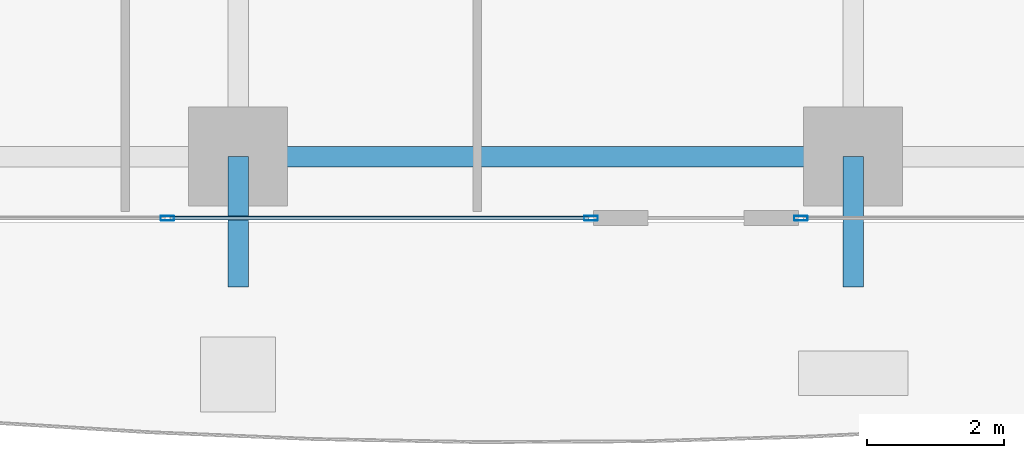
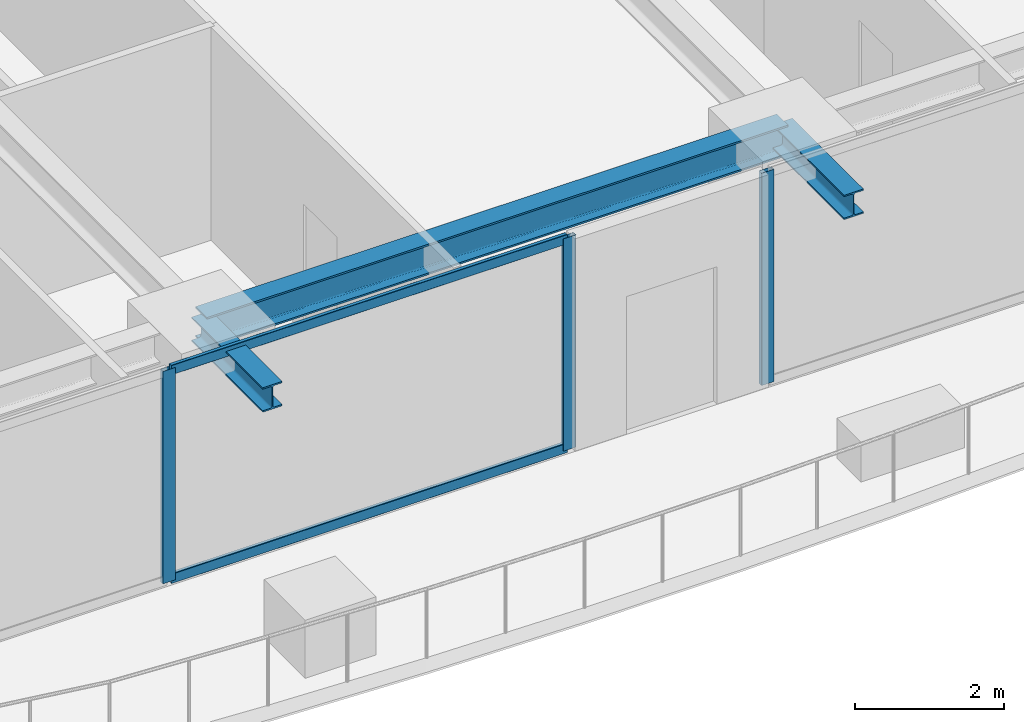
# One storey, part 5 of 39: 5 members, 3 beams, 2 elements without a shape of their own.
"""IFC4 building model written with IfcOpenShell, lengths in metres."""

from ifc_helpers import new_model, si_unit, direction, frame, origin, origin_2d, place, context, subcontext, project, spatial, hollow_rectangle, i_section, extrude, source, transform, mapped, material, layer, layer_set, material_profile, profile_set, type_object, element, aggregate, save


model = new_model("IFC4")

# Units and contexts
model_context = context("Model", 3, precision=1e-05, world=origin(), true_north=direction((0.0, 1.0)))
body_context = subcontext(model_context, "Body", "Model", "MODEL_VIEW")
ifc_project = project(units=[si_unit("LENGTHUNIT", "METRE"), si_unit("AREAUNIT", "SQUARE_METRE"), si_unit("VOLUMEUNIT", "CUBIC_METRE"), si_unit("PLANEANGLEUNIT", "RADIAN"), si_unit("MASSUNIT", "GRAM", prefix="KILO")], contexts=[model_context])

# Site, building, storey
site_placement = place(None, origin())
site = spatial("IfcSite", under=ifc_project, at=site_placement, CompositionType="ELEMENT")
building_placement = place(site_placement, origin())
building = spatial("IfcBuilding", under=site, at=building_placement, Name="Serunith Strait Residences", CompositionType="ELEMENT")
storey_placement = place(building_placement, frame((0.0, 0.0, 94.199951171875)))
storey = spatial("IfcBuildingStorey", under=building, at=storey_placement, Name="L23", CompositionType="ELEMENT", Elevation=94.199951171875)

# Beams
ifc_material_1 = material(Name="Steel S355J2", Category="steel")
ifc_material_profile_1 = material_profile(ifc_material_1, i_section(OverallWidth=0.300048828125, OverallDepth=0.5, WebThickness=0.014404296875, FlangeThickness=0.028076171875, FilletRadius=0.027099609375, at=origin_2d()), Name="HEB 500")
ifc_profile_set_1 = profile_set([ifc_material_profile_1], Name="Steel S355J2")
beam_type_1 = type_object("IfcBeamType", Name="BM-HEB500", PredefinedType="BEAM", material=ifc_profile_set_1)
shared_shape_1 = source(origin(), body_context, "Body", "SweptSolid", [
    extrude(i_section(OverallWidth=0.300048828125, OverallDepth=0.5, WebThickness=0.014404296875, FlangeThickness=0.028076171875, FilletRadius=0.027099609375, at=origin_2d()), origin(), (0.0, 0.0, 1.0), 9.0),
])
beam_placement = place(storey_placement, frame((27.89990234375, 1.10009765625, 3.237060546875), z_axis=(1.0, 0.0, 0.0), x_axis=(0.0, 1.0, 0.0)))
element("IfcBeam", 1, at=beam_placement, inside=storey, type_object=beam_type_1, Name="L23 Perimeter Ring Beam 02", PredefinedType="BEAM", context=body_context, shape_type="MappedRepresentation", body=[
    mapped(shared_shape_1, transform((0.0, 0.0, 0.0), scale=1.0)),
])
ifc_material_profile_2 = material_profile(ifc_material_1, i_section(OverallWidth=0.300048828125, OverallDepth=0.39990234375, WebThickness=0.013427734375, FlangeThickness=0.02392578125, FilletRadius=0.027099609375, at=origin_2d()), Name="HEB 400")
ifc_profile_set_2 = profile_set([ifc_material_profile_2], Name="Steel S355J2")
beam_type_2 = type_object("IfcBeamType", Name="BM-HEB400", PredefinedType="BEAM", material=ifc_profile_set_2)
shared_shape_2 = source(origin(), body_context, "Body", "SweptSolid", [
    extrude(i_section(OverallWidth=0.300048828125, OverallDepth=0.39990234375, WebThickness=0.013427734375, FlangeThickness=0.02392578125, FilletRadius=0.027099609375, at=origin_2d()), origin(), (0.0, 0.0, 1.0), 1.91015625),
])
for number, where, z_axis, x_axis, name in (
    (2, (27.89990234375, 1.10009765625, 3.257080078125), (0.0, -1.0, 0.0), (1.0, 0.0, 0.0), "L24 Cantilevered Balcony Rib TC-S2"),
    (3, (36.89990234375, 1.10009765625, 3.257080078125), (0.0, -1.0, 0.0), (1.0, 0.0, 0.0), "L24 Cantilevered Balcony Rib TC-S3"),
):
    element("IfcBeam", number, at=place(storey_placement, frame(where, z_axis=z_axis, x_axis=x_axis)), inside=storey, type_object=beam_type_2, Name=name, PredefinedType="BEAM", context=body_context, shape_type="MappedRepresentation", body=[
        mapped(shared_shape_2, transform((0.0, 0.0, 0.0), scale=1.0)),
    ])

# Curtain wall, members
ifc_material_2 = material(Name="Pale-Champagne Anodised Aluminium", Category="aluminium")
ifc_layer = layer(ifc_material_2, 0.199951171875, Name="Pale-Champagne Anodised Aluminium")
ifc_layer_set = layer_set([ifc_layer], Name="Pale-Champagne Anodised Aluminium")
curtain_wall_type = type_object("IfcCurtainWallType", Name="CW-SYS1", PredefinedType="NOTDEFINED", material=ifc_layer_set)
curtain_wall_1_placement = place(storey_placement, origin())
curtain_wall_1 = element("IfcCurtainWall", 4, at=curtain_wall_1_placement, inside=storey, type_object=curtain_wall_type, Name="L23 S Unitised Fritted Curtain Wall", PredefinedType="NOTDEFINED")
ifc_material_profile_3 = material_profile(ifc_material_2, hollow_rectangle(XDim=0.070068359375, YDim=0.199951171875, WallThickness=0.00390625, InnerFilletRadius=0.006103515625, OuterFilletRadius=0.010009765625, at=origin_2d()), Name="ALU 200x70x4")
ifc_profile_set_3 = profile_set([ifc_material_profile_3], Name="Pale-Champagne Anodised Aluminium")
member_type_1 = type_object("IfcMemberType", Name="CW-SYS1-MULL", PredefinedType="MULLION", material=ifc_profile_set_3)
shared_shape_3 = source(origin(), body_context, "Body", "SweptSolid", [
    extrude(hollow_rectangle(XDim=0.070068359375, YDim=0.199951171875, WallThickness=0.00390625, InnerFilletRadius=0.006103515625, OuterFilletRadius=0.010009765625, at=origin_2d()), origin(), (0.0, 0.0, 1.0), 3.47509765625),
])
member_1_placement = place(storey_placement, frame((26.86669921875, 0.199951171875, 0.0), z_axis=(0.0, 0.0, 1.0), x_axis=(0.0, 1.0, 0.0)))
member_1 = element("IfcMember", 5, at=member_1_placement, type_object=member_type_1, Name="CW-1 mullion 3", PredefinedType="MULLION", context=body_context, shape_type="MappedRepresentation", body=[
    mapped(shared_shape_3, transform((0.0, 0.0, 0.0), scale=1.0)),
])
member_2_placement = place(storey_placement, frame((33.06494140625, 0.199951171875, 0.0), z_axis=(0.0, 0.0, 1.0), x_axis=(0.0, 1.0, 0.0)))
member_2 = element("IfcMember", 6, at=member_2_placement, type_object=member_type_1, Name="CW-1 mullion 4", PredefinedType="MULLION", context=body_context, shape_type="MappedRepresentation", body=[
    mapped(shared_shape_3, transform((0.0, 0.0, 0.0), scale=1.0)),
])

# Curtain wall, member
curtain_wall_2_placement = place(storey_placement, origin())
curtain_wall_2 = element("IfcCurtainWall", 7, at=curtain_wall_2_placement, inside=storey, type_object=curtain_wall_type, Name="L23 S Unitised Fritted Curtain Wall", PredefinedType="NOTDEFINED")
member_3_placement = place(storey_placement, frame((36.135009765625, 0.199951171875, 0.0), z_axis=(0.0, 0.0, 1.0), x_axis=(0.0, 1.0, 0.0)))
member_3 = element("IfcMember", 8, at=member_3_placement, type_object=member_type_1, Name="CW-1 mullion 1", PredefinedType="MULLION", context=body_context, shape_type="MappedRepresentation", body=[
    mapped(shared_shape_3, transform((0.0, 0.0, 0.0), scale=1.0)),
])
aggregate(curtain_wall_2, [member_3])

# Member
ifc_material_profile_4 = material_profile(ifc_material_2, hollow_rectangle(XDim=0.06005859375, YDim=0.159912109375, WallThickness=0.00341796875, InnerFilletRadius=0.00537109375, OuterFilletRadius=0.0087890625, at=origin_2d()), Name="ALU 160x60x3.5")
ifc_profile_set_4 = profile_set([ifc_material_profile_4], Name="Pale-Champagne Anodised Aluminium")
member_type_2 = type_object("IfcMemberType", Name="CW-SYS1-TRAN", PredefinedType="USERDEFINED", material=ifc_profile_set_4)
shared_shape_4 = source(origin(), body_context, "Body", "SweptSolid", [
    extrude(hollow_rectangle(XDim=0.06005859375, YDim=0.159912109375, WallThickness=0.00341796875, InnerFilletRadius=0.00537109375, OuterFilletRadius=0.0087890625, at=origin_2d()), origin(), (0.0, 0.0, 1.0), 6.12841796875),
])
member_4_placement = place(storey_placement, frame((26.901611328125, 0.199951171875, 0.030029296875), z_axis=(1.0, 0.0, 0.0), x_axis=(0.0, 1.0, 0.0)))
member_4 = element("IfcMember", 9, at=member_4_placement, type_object=member_type_2, Name="CW-1 transom 3.1", ObjectType="TRANSOM", PredefinedType="USERDEFINED", context=body_context, shape_type="MappedRepresentation", body=[
    mapped(shared_shape_4, transform((0.0, 0.0, 0.0), scale=1.0)),
])

member_5_placement = place(storey_placement, frame((26.901611328125, 0.199951171875, 3.445068359375), z_axis=(1.0, 0.0, 0.0), x_axis=(0.0, 1.0, 0.0)))
member_5 = element("IfcMember", 10, at=member_5_placement, type_object=member_type_2, Name="CW-1 transom 3.2", ObjectType="TRANSOM", PredefinedType="USERDEFINED", context=body_context, shape_type="MappedRepresentation", body=[
    mapped(shared_shape_4, transform((0.0, 0.0, 0.0), scale=1.0)),
])

aggregate(curtain_wall_1, [member_1, member_2, member_4, member_5])

save(model, "model.ifc")
